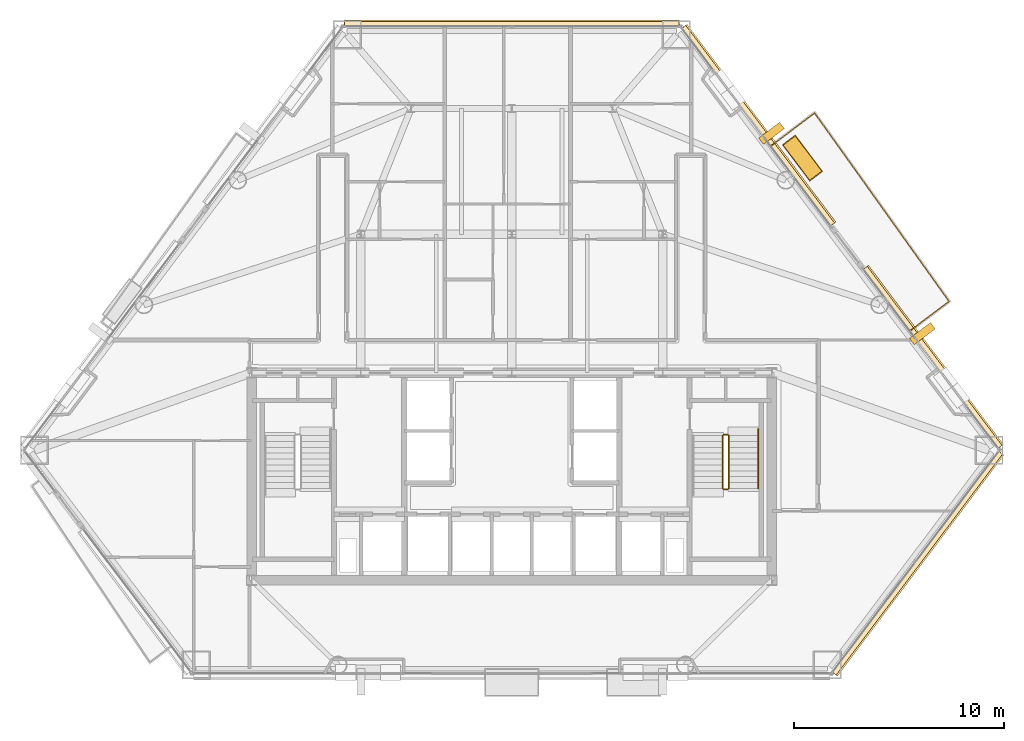
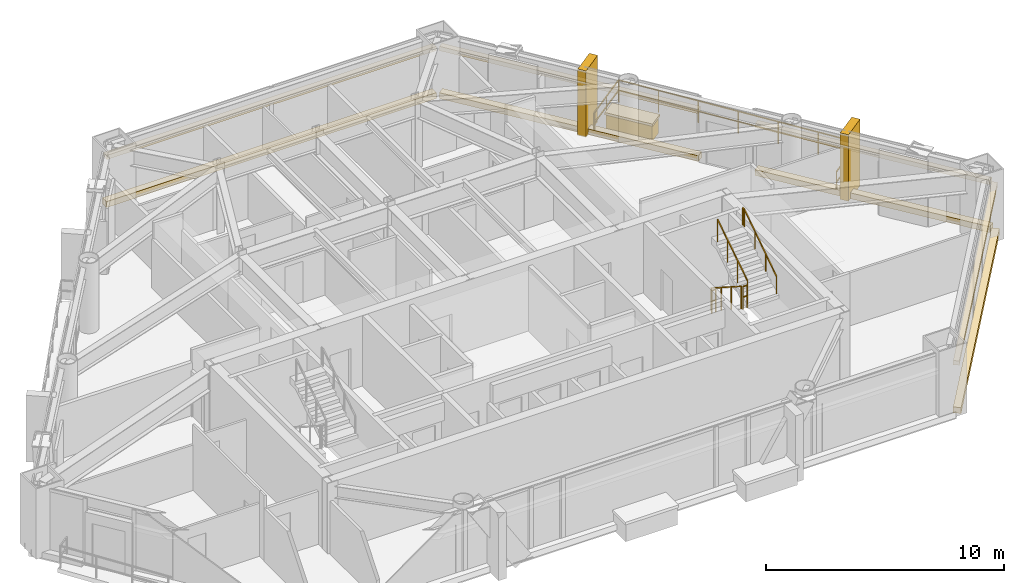
# One storey, part 11 of 11: 12 coverings, 6 railings.
"""IFC4 building model written with IfcOpenShell, lengths in metres."""

import ifcopenshell
import ifcopenshell.guid

model = None  # the IFC model being written
_history = None  # IfcOwnerHistory: only IFC2X3 demands one
_inside = {}  # id of a spatial element -> (the spatial element, [elements in it])
_under = {}  # id of a project, library or spatial element -> (it, [spatial elements below it])
_declared = {}  # id of a project -> (the project, [libraries it declares])
_typed = {}  # id of a type object -> (the type object, [elements of that type])
_made_of = {}  # id of a material, layer set ... -> (it, [elements and type objects made of it])


def new_model(schema):
    """Start an empty IFC model of exactly this schema.

    Asked for "IFC4X3", IfcOpenShell would pick the latest addendum, in which some entities
    have other attributes; the version numbers below select the first issue.
    IFC2X3 requires an IfcOwnerHistory on every rooted entity: one is made here for all.
    """
    global model, _history
    if schema == "IFC4X3":
        model = ifcopenshell.file(schema_version=(4, 3, 0, 0))
    else:
        model = ifcopenshell.file(schema=schema)
    _inside.clear()
    _under.clear()
    _declared.clear()
    _typed.clear()
    _made_of.clear()
    _history = None
    if model.schema == "IFC2X3":
        org = make("IfcOrganization", Name="unknown")
        user = make(
            "IfcPersonAndOrganization",
            ThePerson=make("IfcPerson", FamilyName="unknown"),
            TheOrganization=org,
        )
        app = make(
            "IfcApplication",
            ApplicationDeveloper=org,
            Version="unknown",
            ApplicationFullName="unknown",
            ApplicationIdentifier="unknown",
        )
        _history = make(
            "IfcOwnerHistory",
            OwningUser=user,
            OwningApplication=app,
            ChangeAction="ADDED",
            CreationDate=0,
        )
    return model


def make(cls, **values):
    """One entity of the class cls with the attributes given. An attribute that is None is left unset."""
    return model.create_entity(
        cls, **{name: value for name, value in values.items() if value is not None}
    )


def rooted(cls, **values):
    """An entity with a GlobalId (a new one), such as an element, a storey or a relation."""
    return make(cls, GlobalId=ifcopenshell.guid.new(), OwnerHistory=_history, **values)


def si_unit(unit_type, name, prefix=None):
    """IfcSIUnit, for example si_unit("LENGTHUNIT", "METRE", prefix="MILLI")."""
    return make("IfcSIUnit", UnitType=unit_type, Prefix=prefix, Name=name)


def assignment(units):
    """IfcUnitAssignment: the units of a project."""
    return None if units is None else make("IfcUnitAssignment", Units=units)


def point(xyz):
    """IfcCartesianPoint."""
    return None if xyz is None else make("IfcCartesianPoint", Coordinates=xyz)


def direction(xyz):
    """IfcDirection."""
    return None if xyz is None else make("IfcDirection", DirectionRatios=xyz)


def frame(location, z_axis=None, x_axis=None):
    """IfcAxis2Placement3D, a coordinate frame: its origin and axes. An axis left out is left unset."""
    return make(
        "IfcAxis2Placement3D",
        Location=point(location),
        Axis=direction(z_axis),
        RefDirection=direction(x_axis),
    )


def frame_2d(location, x_axis=None):
    """IfcAxis2Placement2D, a coordinate frame in the plane: its origin and x axis."""
    return make(
        "IfcAxis2Placement2D", Location=point(location), RefDirection=direction(x_axis)
    )


def origin():
    """The frame at (0, 0, 0) with its axes left unset."""
    return frame((0.0, 0.0, 0.0))


def origin_2d():
    """The frame at (0, 0) in the plane with its x axis left unset."""
    return frame_2d((0.0, 0.0))


def place(relative_to, where):
    """IfcLocalPlacement: puts the frame where relative to a parent placement (None: the world)."""
    return make(
        "IfcLocalPlacement", PlacementRelTo=relative_to, RelativePlacement=where
    )


def context(
    kind, dimensions, precision=None, world=None, true_north=None, identifier=None
):
    """IfcGeometricRepresentationContext, for example the 3D "Model" context."""
    return make(
        "IfcGeometricRepresentationContext",
        ContextIdentifier=identifier,
        ContextType=kind,
        CoordinateSpaceDimension=dimensions,
        Precision=precision,
        WorldCoordinateSystem=world,
        TrueNorth=true_north,
    )


def subcontext(parent, identifier, kind, view, scale=None):
    """IfcGeometricRepresentationSubContext, for example "Body" below "Model"."""
    return make(
        "IfcGeometricRepresentationSubContext",
        ContextIdentifier=identifier,
        ContextType=kind,
        ParentContext=parent,
        TargetScale=scale,
        TargetView=view,
    )


def project(units=None, contexts=None):
    """IfcProject with its units and contexts."""
    return rooted(
        "IfcProject",
        Name="project",
        RepresentationContexts=contexts,
        UnitsInContext=assignment(units),
    )


def spatial(cls, under=None, at=None, **own):
    """A site, building, storey or space (cls), placed at a placement, below another one or the project."""
    s = rooted(cls, ObjectPlacement=at, **own)
    if under is not None:
        _under.setdefault(under.id(), (under, []))[1].append(s)
    return s


def profile(cls, at=None, kind="AREA", **sizes):
    """A parametric profile (cls). Its sizes go by their IFC names, for example OverallWidth=200.0."""
    return make(cls, ProfileType=kind, Position=at, **sizes)


def rectangle(**sizes):
    """IfcRectangleProfileDef."""
    return profile("IfcRectangleProfileDef", **sizes)


def extrude(swept, where, along, depth):
    """IfcExtrudedAreaSolid: the profile swept, set in the frame where, extruded along a direction by depth."""
    return make(
        "IfcExtrudedAreaSolid",
        SweptArea=swept,
        Position=where,
        ExtrudedDirection=direction(along),
        Depth=depth,
    )


def shape(context_of_items, identifier, shape_type, items):
    """IfcShapeRepresentation: the items that make up one representation, for example the "Body"."""
    return make(
        "IfcShapeRepresentation",
        ContextOfItems=context_of_items,
        RepresentationIdentifier=identifier,
        RepresentationType=shape_type,
        Items=items,
    )


def material(Name=None, Category=None):
    """IfcMaterial."""
    return make("IfcMaterial", Name=Name, Category=Category)


def layer(
    of_material, thickness, ventilated=None, Name=None, Category=None, Priority=None
):
    """IfcMaterialLayer: one layer of a wall or slab, of a material (None: an air gap)."""
    return make(
        "IfcMaterialLayer",
        Material=of_material,
        LayerThickness=thickness,
        IsVentilated=ventilated,
        Name=Name,
        Category=Category,
        Priority=Priority,
    )


def layer_set(layers, Name=None):
    """IfcMaterialLayerSet."""
    return make("IfcMaterialLayerSet", MaterialLayers=layers, LayerSetName=Name)


def made_of(thing, what):
    """Note that an element or type object is made of a material, layer set ...; save() writes the relation."""
    if what is not None:
        _made_of.setdefault(what.id(), (what, []))[1].append(thing)
    return thing


def type_object(cls, material=None, **own):
    """A type object (cls), such as IfcWallType, which elements share."""
    return made_of(rooted(cls, **own), material)


def element(
    cls,
    number,
    at=None,
    inside=None,
    cuts=None,
    type_object=None,
    material=None,
    context=None,
    identifier="Body",
    shape_type=None,
    held_by="IfcProductDefinitionShape",
    body=None,
    shapes=None,
    **own,
):
    """One element of the class cls, such as IfcWall. Its Tag is "e" and its number.

    at: its placement. inside: the storey or other place that contains it. cuts: it is an
    opening in that element (IfcRelVoidsElement). A single representation is given by context,
    identifier, shape_type and body (its items); several are given by shapes. held_by: the class
    of the entity that holds the representations. save() writes the other relations.
    """
    e = rooted(cls, Tag="e%d" % number, ObjectPlacement=at, **own)
    if body is not None:
        shapes = [shape(context, identifier, shape_type, body)]
    if shapes is not None:
        e.Representation = make(held_by, Representations=shapes)
    if inside is not None:
        _inside.setdefault(inside.id(), (inside, []))[1].append(e)
    if cuts is not None:
        rooted(
            "IfcRelVoidsElement", RelatingBuildingElement=cuts, RelatedOpeningElement=e
        )
    if type_object is not None:
        _typed.setdefault(type_object.id(), (type_object, []))[1].append(e)
    return made_of(e, material)


def aggregate(whole, parts):
    """IfcRelAggregates: a whole, such as a stair, and the parts it consists of."""
    return rooted("IfcRelAggregates", RelatingObject=whole, RelatedObjects=parts)


def save(model, path):
    """Write the relations noted so far, then the file.

    IfcRelAggregates (storeys below a building ...), IfcRelContainedInSpatialStructure (elements
    in a storey), IfcRelDefinesByType, IfcRelAssociatesMaterial and IfcRelDeclares: one each for
    every whole, place, type object, material and project.
    """
    for whole, parts in _under.values():
        aggregate(whole, parts)
    for where, things in _inside.values():
        rooted(
            "IfcRelContainedInSpatialStructure",
            RelatedElements=things,
            RelatingStructure=where,
        )
    for kind, things in _typed.values():
        rooted("IfcRelDefinesByType", RelatedObjects=things, RelatingType=kind)
    for what, things in _made_of.values():
        rooted("IfcRelAssociatesMaterial", RelatedObjects=things, RelatingMaterial=what)
    for by, libraries in _declared.values():
        rooted("IfcRelDeclares", RelatingContext=by, RelatedDefinitions=libraries)
    model.write(path)


model = new_model("IFC4")

# Units and contexts
model_context = context("Model", 3, precision=1e-05, world=origin(), true_north=direction((0.0, 1.0)))
body_context = subcontext(model_context, "Body", "Model", "MODEL_VIEW")
ifc_project = project(units=[si_unit("LENGTHUNIT", "METRE"), si_unit("AREAUNIT", "SQUARE_METRE"), si_unit("VOLUMEUNIT", "CUBIC_METRE"), si_unit("PLANEANGLEUNIT", "RADIAN"), si_unit("MASSUNIT", "GRAM", prefix="KILO")], contexts=[model_context])

# Site, building, storey
site_placement = place(None, origin())
site = spatial("IfcSite", under=ifc_project, at=site_placement, CompositionType="ELEMENT")
building_placement = place(site_placement, origin())
building = spatial("IfcBuilding", under=site, at=building_placement, Name="Talgorran Terracotta Tower", CompositionType="ELEMENT")
storey_placement = place(building_placement, frame((0.0, 0.0, 45.89990234375)))
storey = spatial("IfcBuildingStorey", under=building, at=storey_placement, Name="L11", CompositionType="ELEMENT", Elevation=45.89990234375)

# Coverings
ifc_material_1 = material(Name="Kiln-Fired Terracotta Ochre Ceramic", Category="masonry")
ifc_layer_1 = layer(ifc_material_1, 0.179931640625, Name="COV_BAGUETTE_TERRACOTTA_SCREEN")
ifc_layer_set_1 = layer_set([ifc_layer_1], Name="Kiln-Fired Terracotta Ochre Ceramic")
covering_type_1 = type_object("IfcCoveringType", Name="COV_BAGUETTE_TERRACOTTA_SCREEN", PredefinedType="CLADDING", material=ifc_layer_set_1)
covering_1_placement = place(storey_placement, frame((19.33154296875, -13.274169921875, 2.41015625), z_axis=(0.0, 0.0, 1.0), x_axis=(0.601633803014, 0.798772036986, 0.0)))
element("IfcCovering", 1, at=covering_1_placement, inside=storey, type_object=covering_type_1, Name="L11 Terracotta Baguette Solar Screen Assembly F2", PredefinedType="CLADDING", context=body_context, shape_type="SweptSolid", body=[
    extrude(rectangle(XDim=13.184326171875, YDim=0.260009765625, at=origin_2d()), origin(), (0.0, 0.0, 1.0), 0.219970703125),
])
covering_2_placement = place(storey_placement, frame((20.060791015625, -3.47900390625, 2.41015625), z_axis=(0.0, 0.0, 1.0), x_axis=(-0.601633803014, 0.798772036986, 0.0)))
element("IfcCovering", 2, at=covering_2_placement, inside=storey, type_object=covering_type_1, Name="L11 Terracotta Baguette Solar Screen Assembly F40", PredefinedType="CLADDING", context=body_context, shape_type="SweptSolid", body=[
    extrude(rectangle(XDim=10.6796875, YDim=0.260009765625, at=origin_2d()), origin(), (0.0, 0.0, 1.0), 0.219970703125),
])
covering_3_placement = place(storey_placement, frame((11.738525390625, 7.570556640625, 2.41015625), z_axis=(0.0, 0.0, 1.0), x_axis=(-0.601633803014, 0.798772036986, 0.0)))
element("IfcCovering", 3, at=covering_3_placement, inside=storey, type_object=covering_type_1, Name="L11 Terracotta Baguette Solar Screen Assembly F41", PredefinedType="CLADDING", context=body_context, shape_type="SweptSolid", body=[
    extrude(rectangle(XDim=11.78662109375, YDim=0.260009765625, at=origin_2d()), origin(), (0.0, 0.0, 1.0), 0.219970703125),
])
covering_4_placement = place(storey_placement, frame((0.0, 12.40576171875, 2.41015625), z_axis=(0.0, 0.0, 1.0), x_axis=(-1.0, 0.0, 0.0)))
element("IfcCovering", 4, at=covering_4_placement, inside=storey, type_object=covering_type_1, Name="L11 Terracotta Baguette Solar Screen Assembly F4", PredefinedType="CLADDING", context=body_context, shape_type="SweptSolid", body=[
    extrude(rectangle(XDim=15.953857421875, YDim=0.260009765625, at=origin_2d()), origin(), (0.0, 0.0, 1.0), 0.219970703125),
])
ifc_material_2 = material(Name="Honed Limestone and Terracotta Planter", Category="masonry")
ifc_layer_2 = layer(ifc_material_2, 0.1201171875, Name="COV_PLANTER_BOX")
ifc_layer_set_2 = layer_set([ifc_layer_2], Name="Honed Limestone and Terracotta Planter")
covering_type_2 = type_object("IfcCoveringType", Name="COV_PLANTER_BOX", PredefinedType="CLADDING", material=ifc_layer_set_2)
covering_5_placement = place(storey_placement, frame((13.863037109375, 6.029541015625, -0.02001953125), z_axis=(0.0, 0.0, 1.0), x_axis=(-0.601633803014, 0.798772036986, 0.0)))
element("IfcCovering", 5, at=covering_5_placement, inside=storey, type_object=covering_type_2, Name="L11 Staggered Balcony Planter Box BAL-NE", PredefinedType="CLADDING", context=body_context, shape_type="SweptSolid", body=[
    extrude(rectangle(XDim=2.10009765625, YDim=0.719970703125, at=origin_2d()), origin(), (0.0, 0.0, 1.0), 0.860107421875),
])
ifc_material_3 = material(Name="Kiln-Fired Terracotta Planter Rim", Category="masonry")
ifc_layer_3 = layer(ifc_material_3, 0.10009765625, Name="COV_PLANTER_RIM")
ifc_layer_set_3 = layer_set([ifc_layer_3], Name="Kiln-Fired Terracotta Planter Rim")
covering_type_3 = type_object("IfcCoveringType", Name="COV_PLANTER_RIM", PredefinedType="CLADDING", material=ifc_layer_set_3)
covering_6_placement = place(storey_placement, frame((13.863037109375, 6.029541015625, 0.800048828125), z_axis=(0.0, 0.0, 1.0), x_axis=(-0.601633803014, 0.798772036986, 0.0)))
element("IfcCovering", 6, at=covering_6_placement, inside=storey, type_object=covering_type_3, Name="L11 Balcony Planter Terracotta Rim BAL-NE", PredefinedType="CLADDING", context=body_context, shape_type="SweptSolid", body=[
    extrude(rectangle(XDim=2.179931640625, YDim=0.780029296875, at=origin_2d()), origin(), (0.0, 0.0, 1.0), 0.1201171875),
])
ifc_material_4 = material(Name="Honed Limestone Cladding", Category="masonry")
ifc_layer_4 = layer(ifc_material_4, 0.094970703125, Name="COV_PORTAL_LIME")
ifc_layer_set_4 = layer_set([ifc_layer_4], Name="Honed Limestone Cladding")
covering_type_4 = type_object("IfcCoveringType", Name="COV_PORTAL_LIME", PredefinedType="CLADDING", material=ifc_layer_set_4)
covering_7_placement = place(storey_placement, frame((19.578369140625, -2.339599609375, -0.0498046875), z_axis=(0.0, 0.0, 1.0), x_axis=(-0.601633803014, 0.798772036986, 0.0)))
element("IfcCovering", 7, at=covering_7_placement, inside=storey, type_object=covering_type_4, Name="L11 White Striped Portal Fin F3-1", PredefinedType="CLADDING", context=body_context, shape_type="SweptSolid", body=[
    extrude(rectangle(XDim=0.3798828125, YDim=1.25, at=origin_2d()), origin(), (0.0, 0.0, 1.0), 3.39990234375),
])
ifc_material_5 = material(Name="Kiln-Fired Terracotta Cladding", Category="masonry")
ifc_layer_5 = layer(ifc_material_5, 0.090087890625, Name="COV_PORTAL_TERRA")
ifc_layer_set_5 = layer_set([ifc_layer_5], Name="Kiln-Fired Terracotta Cladding")
covering_type_5 = type_object("IfcCoveringType", Name="COV_PORTAL_TERRA", PredefinedType="CLADDING", material=ifc_layer_set_5)
covering_8_placement = place(storey_placement, frame((19.36328125, -13.298095703125, -0.0400390625), z_axis=(0.0, 0.0, 1.0), x_axis=(0.601633803014, 0.798772036986, 0.0)))
element("IfcCovering", 8, at=covering_8_placement, inside=storey, type_object=covering_type_5, Name="L11 Striped Postmodern Portal Cladding Band F2", PredefinedType="CLADDING", context=body_context, shape_type="SweptSolid", body=[
    extrude(rectangle(XDim=13.204345703125, YDim=0.340087890625, at=origin_2d()), origin(), (0.0, 0.0, 1.0), 0.300048828125),
])
covering_9_placement = place(storey_placement, frame((20.0927734375, -3.454833984375, -0.0400390625), z_axis=(0.0, 0.0, 1.0), x_axis=(-0.601633803014, 0.798772036986, 0.0)))
element("IfcCovering", 9, at=covering_9_placement, inside=storey, type_object=covering_type_5, Name="L11 Striped Postmodern Portal Cladding Band F40", PredefinedType="CLADDING", context=body_context, shape_type="SweptSolid", body=[
    extrude(rectangle(XDim=10.69970703125, YDim=0.340087890625, at=origin_2d()), origin(), (0.0, 0.0, 1.0), 0.300048828125),
])
covering_10_placement = place(storey_placement, frame((11.7705078125, 7.594482421875, -0.0400390625), z_axis=(0.0, 0.0, 1.0), x_axis=(-0.601633803014, 0.798772036986, 0.0)))
element("IfcCovering", 10, at=covering_10_placement, inside=storey, type_object=covering_type_5, Name="L11 Striped Postmodern Portal Cladding Band F41", PredefinedType="CLADDING", context=body_context, shape_type="SweptSolid", body=[
    extrude(rectangle(XDim=11.806396484375, YDim=0.340087890625, at=origin_2d()), origin(), (0.0, 0.0, 1.0), 0.300048828125),
])
covering_11_placement = place(storey_placement, frame((0.0, 12.44580078125, -0.0400390625), z_axis=(0.0, 0.0, 1.0), x_axis=(-1.0, 0.0, 0.0)))
element("IfcCovering", 11, at=covering_11_placement, inside=storey, type_object=covering_type_5, Name="L11 Striped Postmodern Portal Cladding Band F4", PredefinedType="CLADDING", context=body_context, shape_type="SweptSolid", body=[
    extrude(rectangle(XDim=15.973876953125, YDim=0.340087890625, at=origin_2d()), origin(), (0.0, 0.0, 1.0), 0.300048828125),
])
covering_12_placement = place(storey_placement, frame((12.3857421875, 7.2099609375, -0.0498046875), z_axis=(0.0, 0.0, 1.0), x_axis=(-0.601633803014, 0.798772036986, 0.0)))
element("IfcCovering", 12, at=covering_12_placement, inside=storey, type_object=covering_type_5, Name="L11 Terracotta Striped Portal Fin F3-2", PredefinedType="CLADDING", context=body_context, shape_type="SweptSolid", body=[
    extrude(rectangle(XDim=0.3798828125, YDim=1.25, at=origin_2d()), origin(), (0.0, 0.0, 1.0), 3.39990234375),
])

# Railings
ifc_material_6 = material(Name="Laminated Glass and Stainless Steel 316", Category="steel")
railing_type_1 = type_object("IfcRailingType", Name="RL_BALCONY_1150", PredefinedType="BALUSTRADE", material=ifc_material_6)
railing_1_placement = place(storey_placement, frame((18.9970703125, -2.19970703125, 0.0)))
element("IfcRailing", 13, at=railing_1_placement, inside=storey, type_object=railing_type_1, Name="RL-L11-BAL-BAL-NE", PredefinedType="BALUSTRADE", context=body_context, shape_type="SweptSolid", body=[
    extrude(rectangle(XDim=0.048095703125, YDim=0.048095703125, at=origin_2d()), frame((0.0, 0.0, 1.1259765625), z_axis=(0.798761997288, 0.601647132203, 0.0), x_axis=(-0.601647132203, 0.798761997288, 0.0)), (0.0, 0.0, 1.0), 2.322265625),
    extrude(rectangle(XDim=0.048095703125, YDim=0.048095703125, at=origin_2d()), frame((0.0, 0.0, 0.597900390625), z_axis=(0.798761997288, 0.601647132203, 0.0), x_axis=(-0.601647132203, 0.798761997288, 0.0)), (0.0, 0.0, 1.0), 2.322265625),
    extrude(rectangle(XDim=0.048095703125, YDim=0.048095703125, at=origin_2d()), frame((1.85498046875, 1.397216796875, 1.1259765625), z_axis=(-0.580945178198, 0.813942688357, 0.0), x_axis=(-0.813942688357, -0.580945178198, 0.0)), (0.0, 0.0, 1.0), 11.03564453125),
    extrude(rectangle(XDim=0.048095703125, YDim=0.048095703125, at=origin_2d()), frame((1.85498046875, 1.397216796875, 0.597900390625), z_axis=(-0.580945178198, 0.813942688357, 0.0), x_axis=(-0.813942688357, -0.580945178198, 0.0)), (0.0, 0.0, 1.0), 11.03564453125),
    extrude(rectangle(XDim=0.048095703125, YDim=0.048095703125, at=origin_2d()), frame((-4.55615234375, 10.379638671875, 1.1259765625), z_axis=(-0.798783879792, -0.601618079336, 0.0), x_axis=(0.601618079336, -0.798783879792, 0.0)), (0.0, 0.0, 1.0), 2.605224609375),
    extrude(rectangle(XDim=0.048095703125, YDim=0.048095703125, at=origin_2d()), frame((-4.55615234375, 10.379638671875, 0.597900390625), z_axis=(-0.798783879792, -0.601618079336, 0.0), x_axis=(0.601618079336, -0.798783879792, 0.0)), (0.0, 0.0, 1.0), 2.605224609375),
    extrude(rectangle(XDim=0.0419921875, YDim=0.0419921875, at=origin_2d()), origin(), (0.0, 0.0, 1.0), 1.101806640625),
    extrude(rectangle(XDim=0.0419921875, YDim=0.0419921875, at=origin_2d()), frame((0.927490234375, 0.69873046875, 0.0)), (0.0, 0.0, 1.0), 1.101806640625),
    extrude(rectangle(XDim=0.0419921875, YDim=0.0419921875, at=origin_2d()), frame((1.85498046875, 1.397216796875, 0.0)), (0.0, 0.0, 1.0), 1.101806640625),
    extrude(rectangle(XDim=0.0419921875, YDim=0.0419921875, at=origin_2d()), frame((0.786376953125, 2.894287109375, 0.0)), (0.0, 0.0, 1.0), 1.101806640625),
    extrude(rectangle(XDim=0.0419921875, YDim=0.0419921875, at=origin_2d()), frame((-0.281982421875, 4.391357421875, 0.0)), (0.0, 0.0, 1.0), 1.101806640625),
    extrude(rectangle(XDim=0.0419921875, YDim=0.0419921875, at=origin_2d()), frame((-1.3505859375, 5.888427734375, 0.0)), (0.0, 0.0, 1.0), 1.101806640625),
    extrude(rectangle(XDim=0.0419921875, YDim=0.0419921875, at=origin_2d()), frame((-2.419189453125, 7.385498046875, 0.0)), (0.0, 0.0, 1.0), 1.101806640625),
    extrude(rectangle(XDim=0.0419921875, YDim=0.0419921875, at=origin_2d()), frame((-3.487548828125, 8.882568359375, 0.0)), (0.0, 0.0, 1.0), 1.101806640625),
    extrude(rectangle(XDim=0.0419921875, YDim=0.0419921875, at=origin_2d()), frame((-4.55615234375, 10.379638671875, 0.0)), (0.0, 0.0, 1.0), 1.101806640625),
    extrude(rectangle(XDim=0.0419921875, YDim=0.0419921875, at=origin_2d()), frame((-5.5966796875, 9.595947265625, 0.0)), (0.0, 0.0, 1.0), 1.101806640625),
    extrude(rectangle(XDim=0.0419921875, YDim=0.0419921875, at=origin_2d()), frame((-6.63720703125, 8.812255859375, 0.0)), (0.0, 0.0, 1.0), 1.101806640625),
])
ifc_material_7 = material(Name="Steel S355 (300PLUS)", Category="steel")
railing_type_2 = type_object("IfcRailingType", Name="RL_HANDRAIL_920", PredefinedType="HANDRAIL", material=ifc_material_7)
railing_2_placement = place(storey_placement, frame((11.75, -9.719970703125, 1.97998046875)))
element("IfcRailing", 14, at=railing_2_placement, inside=storey, type_object=railing_type_2, Name="L11 ST-02 stair handrail 2", PredefinedType="HANDRAIL", context=body_context, shape_type="SweptSolid", body=[
    extrude(rectangle(XDim=0.048095703125, YDim=0.048095703125, at=origin_2d()), frame((0.0, 0.0, 0.89599609375), z_axis=(0.0, 0.832038719335, 0.554717558338), x_axis=(-1.0, 0.0, 0.0)), (0.0, 0.0, 1.0), 3.244873046875),
    extrude(rectangle(XDim=0.048095703125, YDim=0.048095703125, at=origin_2d()), frame((0.0, 2.699951171875, 2.69580078125), z_axis=(0.0, 1.0, 0.0), x_axis=(-1.0, 0.0, 0.0)), (0.0, 0.0, 1.0), 0.1201171875),
    extrude(rectangle(XDim=0.0419921875, YDim=0.0419921875, at=origin_2d()), origin(), (0.0, 0.0, 1.0), 0.871826171875),
    extrude(rectangle(XDim=0.0419921875, YDim=0.0419921875, at=origin_2d()), frame((0.0, 0.89990234375, 0.60009765625)), (0.0, 0.0, 1.0), 0.871826171875),
    extrude(rectangle(XDim=0.0419921875, YDim=0.0419921875, at=origin_2d()), frame((0.0, 1.800048828125, 1.199951171875)), (0.0, 0.0, 1.0), 0.871826171875),
    extrude(rectangle(XDim=0.0419921875, YDim=0.0419921875, at=origin_2d()), frame((0.0, 2.699951171875, 1.800048828125)), (0.0, 0.0, 1.0), 0.871826171875),
    extrude(rectangle(XDim=0.0419921875, YDim=0.0419921875, at=origin_2d()), frame((0.0, 2.820068359375, 1.800048828125)), (0.0, 0.0, 1.0), 0.871826171875),
])
railing_type_3 = type_object("IfcRailingType", Name="RL_STAIR_GUARD", PredefinedType="GUARDRAIL", material=ifc_material_7)
railing_3_placement = place(storey_placement, frame((10.050048828125, -7.199951171875, 0.18017578125)))
element("IfcRailing", 15, at=railing_3_placement, inside=storey, type_object=railing_type_3, Name="L11 ST-02 stair guard 1", PredefinedType="GUARDRAIL", context=body_context, shape_type="SweptSolid", body=[
    extrude(rectangle(XDim=0.048095703125, YDim=0.048095703125, at=origin_2d()), frame((0.0, 0.0, 1.15576171875), z_axis=(0.0, -0.841199657755, 0.540724639528), x_axis=(1.0, 0.0, 0.0)), (0.0, 0.0, 1.0), 2.995849609375),
    extrude(rectangle(XDim=0.0419921875, YDim=0.0419921875, at=origin_2d()), origin(), (0.0, 0.0, 1.0), 1.1318359375),
    extrude(rectangle(XDim=0.0419921875, YDim=0.0419921875, at=origin_2d()), frame((0.0, -0.840087890625, 0.5400390625)), (0.0, 0.0, 1.0), 1.1318359375),
    extrude(rectangle(XDim=0.0419921875, YDim=0.0419921875, at=origin_2d()), frame((0.0, -1.679931640625, 1.079833984375)), (0.0, 0.0, 1.0), 1.1318359375),
    extrude(rectangle(XDim=0.0419921875, YDim=0.0419921875, at=origin_2d()), frame((0.0, -2.52001953125, 1.619873046875)), (0.0, 0.0, 1.0), 1.1318359375),
])
railing_4_placement = place(storey_placement, frame((10.10009765625, -9.77001953125, 1.800048828125)))
element("IfcRailing", 16, at=railing_4_placement, inside=storey, type_object=railing_type_3, Name="L11 ST-02 stair guard 2", PredefinedType="GUARDRAIL", context=body_context, shape_type="SweptSolid", body=[
    extrude(rectangle(XDim=0.048095703125, YDim=0.048095703125, at=origin_2d()), frame((0.0, 0.0, 1.15576171875), z_axis=(1.0, 0.0, 0.0), x_axis=(0.0, 1.0, 0.0)), (0.0, 0.0, 1.0), 0.199951171875),
    extrude(rectangle(XDim=0.048095703125, YDim=0.048095703125, at=origin_2d()), frame((0.0, 0.0, 0.613525390625), z_axis=(1.0, 0.0, 0.0), x_axis=(0.0, 1.0, 0.0)), (0.0, 0.0, 1.0), 0.199951171875),
    extrude(rectangle(XDim=0.0419921875, YDim=0.0419921875, at=origin_2d()), origin(), (0.0, 0.0, 1.0), 1.1318359375),
    extrude(rectangle(XDim=0.0419921875, YDim=0.0419921875, at=origin_2d()), frame((0.199951171875, 0.0, 0.0)), (0.0, 0.0, 1.0), 1.1318359375),
])
railing_5_placement = place(storey_placement, frame((10.35009765625, -9.719970703125, 1.97998046875)))
element("IfcRailing", 17, at=railing_5_placement, inside=storey, type_object=railing_type_3, Name="L11 ST-02 stair guard 3", PredefinedType="GUARDRAIL", context=body_context, shape_type="SweptSolid", body=[
    extrude(rectangle(XDim=0.048095703125, YDim=0.048095703125, at=origin_2d()), frame((0.0, 0.0, 1.15576171875), z_axis=(0.0, 0.841162588446, 0.540782303519), x_axis=(-1.0, 0.0, 0.0)), (0.0, 0.0, 1.0), 2.995849609375),
    extrude(rectangle(XDim=0.0419921875, YDim=0.0419921875, at=origin_2d()), origin(), (0.0, 0.0, 1.0), 1.1318359375),
    extrude(rectangle(XDim=0.0419921875, YDim=0.0419921875, at=origin_2d()), frame((0.0, 0.840087890625, 0.5400390625)), (0.0, 0.0, 1.0), 1.1318359375),
    extrude(rectangle(XDim=0.0419921875, YDim=0.0419921875, at=origin_2d()), frame((0.0, 1.679931640625, 1.080078125)), (0.0, 0.0, 1.0), 1.1318359375),
    extrude(rectangle(XDim=0.0419921875, YDim=0.0419921875, at=origin_2d()), frame((0.0, 2.52001953125, 1.6201171875)), (0.0, 0.0, 1.0), 1.1318359375),
])
railing_6_placement = place(storey_placement, frame((10.10009765625, -7.14990234375, 0.0)))
element("IfcRailing", 18, at=railing_6_placement, inside=storey, type_object=railing_type_3, Name="L11 ST-02 stair guard 4", PredefinedType="GUARDRAIL", context=body_context, shape_type="SweptSolid", body=[
    extrude(rectangle(XDim=0.048095703125, YDim=0.048095703125, at=origin_2d()), frame((0.0, 0.0, 1.15576171875), z_axis=(1.0, 0.0, 0.0), x_axis=(0.0, 1.0, 0.0)), (0.0, 0.0, 1.0), 0.199951171875),
    extrude(rectangle(XDim=0.048095703125, YDim=0.048095703125, at=origin_2d()), frame((0.0, 0.0, 0.613525390625), z_axis=(1.0, 0.0, 0.0), x_axis=(0.0, 1.0, 0.0)), (0.0, 0.0, 1.0), 0.199951171875),
    extrude(rectangle(XDim=0.0419921875, YDim=0.0419921875, at=origin_2d()), origin(), (0.0, 0.0, 1.0), 1.1318359375),
    extrude(rectangle(XDim=0.0419921875, YDim=0.0419921875, at=origin_2d()), frame((0.199951171875, 0.0, 0.0)), (0.0, 0.0, 1.0), 1.1318359375),
])

save(model, "model.ifc")
